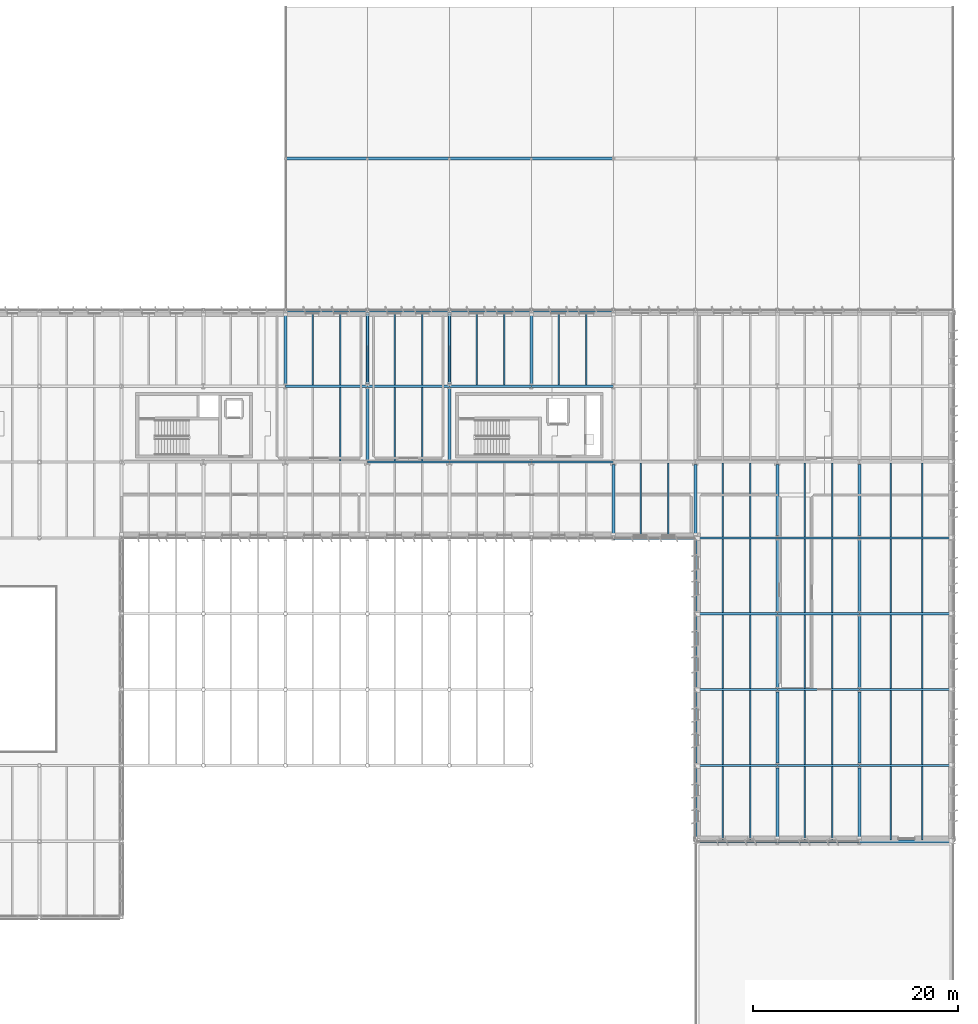
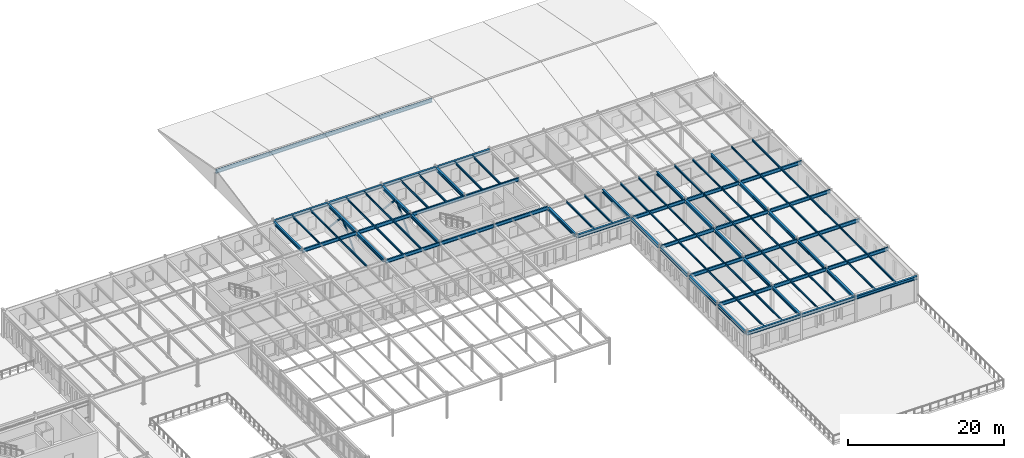
# One storey, part 26 of 63: 96 beams, 4 members.
"""IFC4 building model written with IfcOpenShell, lengths in metres."""

from ifc_helpers import new_model, si_unit, direction, frame, origin, origin_2d, place, context, subcontext, project, spatial, hollow_circle, i_section, extrude, material, material_profile, profile_set, type_object, element, save


model = new_model("IFC4")

# Units and contexts
model_context = context("Model", 3, precision=1e-05, world=origin(), true_north=direction((0.0, 1.0)))
body_context = subcontext(model_context, "Body", "Model", "MODEL_VIEW")
ifc_project = project(units=[si_unit("LENGTHUNIT", "METRE"), si_unit("AREAUNIT", "SQUARE_METRE"), si_unit("VOLUMEUNIT", "CUBIC_METRE"), si_unit("PLANEANGLEUNIT", "RADIAN"), si_unit("MASSUNIT", "GRAM", prefix="KILO")], contexts=[model_context])

# Site, building, storey
site_placement = place(None, origin())
site = spatial("IfcSite", under=ifc_project, at=site_placement, CompositionType="ELEMENT")
building_placement = place(site_placement, origin())
building = spatial("IfcBuilding", under=site, at=building_placement, Name="Valkorina Park Police Headquarters", CompositionType="ELEMENT")
storey_placement = place(building_placement, frame((0.0, 0.0, 9.89990234375)))
storey = spatial("IfcBuildingStorey", under=building, at=storey_placement, Name="L03", CompositionType="ELEMENT", Elevation=9.89990234375)

# Beams
ifc_material = material(Name="Steel S355", Category="steel")
ifc_material_profile_1 = material_profile(ifc_material, i_section(OverallWidth=0.300048828125, OverallDepth=0.489990234375, WebThickness=0.011962890625, FlangeThickness=0.02294921875, FilletRadius=0.027099609375, at=origin_2d()), Name="HEA 500")
ifc_profile_set_1 = profile_set([ifc_material_profile_1], Name="Steel S355")
beam_type_1 = type_object("IfcBeamType", Name="BM-S355-HEA500-BM", PredefinedType="BEAM", material=ifc_profile_set_1)
for number, where, z_axis, x_axis, name in (
    (1, (96.800048828125, 74.22509765625, 3.710205078125), (0.0, 1.0, 0.0), (-1.0, 0.0, 0.0), "L03 Framing Beam 2089"),
    (2, (104.800048828125, 66.824951171875, 3.710205078125), (0.0, 1.0, 0.0), (-1.0, 0.0, 0.0), "L03 Framing Beam 2104"),
    (3, (104.800048828125, 74.22509765625, 3.710205078125), (0.0, 1.0, 0.0), (-1.0, 0.0, 0.0), "L03 Framing Beam 2107"),
    (4, (112.800048828125, 66.824951171875, 3.710205078125), (0.0, 1.0, 0.0), (-1.0, 0.0, 0.0), "L03 Framing Beam 2122"),
    (5, (112.800048828125, 74.22509765625, 3.710205078125), (0.0, 1.0, 0.0), (-1.0, 0.0, 0.0), "L03 Framing Beam 2123"),
    (6, (120.800048828125, 74.22509765625, 3.710205078125), (0.0, 1.0, 0.0), (-1.0, 0.0, 0.0), "L03 Framing Beam 2132"),
    (7, (128.800048828125, 59.425048828125, 3.710205078125), (0.0, 1.0, 0.0), (-1.0, 0.0, 0.0), "L03 Framing Beam 2135"),
    (8, (136.800048828125, 59.425048828125, 3.710205078125), (0.0, 1.0, 0.0), (-1.0, 0.0, 0.0), "L03 Framing Beam 2156"),
    (9, (144.800048828125, 29.824951171875, 3.675048828125), (0.0, 1.0, 0.0), (-1.0, 0.0, 0.0), "L03 Framing Beam 2165"),
    (10, (144.800048828125, 37.22509765625, 3.675048828125), (0.0, 1.0, 0.0), (-1.0, 0.0, 0.0), "L03 Framing Beam 2168"),
    (11, (144.800048828125, 44.625, 3.675048828125), (0.0, 1.0, 0.0), (-1.0, 0.0, 0.0), "L03 Framing Beam 2171"),
):
    element("IfcBeam", number, at=place(storey_placement, frame(where, z_axis=z_axis, x_axis=x_axis)), inside=storey, type_object=beam_type_1, Name=name, PredefinedType="BEAM", context=body_context, shape_type="SweptSolid", body=[
        extrude(i_section(OverallWidth=0.300048828125, OverallDepth=0.489990234375, WebThickness=0.011962890625, FlangeThickness=0.02294921875, FilletRadius=0.027099609375, at=origin_2d()), origin(), (0.0, 0.0, 1.0), 6.949951171875),
    ])
beam_1_placement = place(storey_placement, frame((144.800048828125, 52.02490234375, 3.710205078125), z_axis=(0.0, 1.0, 0.0), x_axis=(-1.0, 0.0, 0.0)))
element("IfcBeam", 12, at=beam_1_placement, inside=storey, type_object=beam_type_1, Name="L03 Framing Beam 2174", PredefinedType="BEAM", context=body_context, shape_type="SweptSolid", body=[
    extrude(i_section(OverallWidth=0.300048828125, OverallDepth=0.489990234375, WebThickness=0.011962890625, FlangeThickness=0.02294921875, FilletRadius=0.027099609375, at=origin_2d()), origin(), (0.0, 0.0, 1.0), 6.9501953125),
])
for number, where, z_axis, x_axis, name in (
    (13, (144.800048828125, 59.425048828125, 3.710205078125), (0.0, 1.0, 0.0), (-1.0, 0.0, 0.0), "L03 Framing Beam 2177"),
    (14, (152.800048828125, 29.824951171875, 3.675048828125), (0.0, 1.0, 0.0), (-1.0, 0.0, 0.0), "L03 Framing Beam 2186"),
    (15, (152.800048828125, 37.22509765625, 3.675048828125), (0.0, 1.0, 0.0), (-1.0, 0.0, 0.0), "L03 Framing Beam 2190"),
    (16, (152.800048828125, 44.625, 3.675048828125), (0.0, 1.0, 0.0), (-1.0, 0.0, 0.0), "L03 Framing Beam 2194"),
):
    element("IfcBeam", number, at=place(storey_placement, frame(where, z_axis=z_axis, x_axis=x_axis)), inside=storey, type_object=beam_type_1, Name=name, PredefinedType="BEAM", context=body_context, shape_type="SweptSolid", body=[
        extrude(i_section(OverallWidth=0.300048828125, OverallDepth=0.489990234375, WebThickness=0.011962890625, FlangeThickness=0.02294921875, FilletRadius=0.027099609375, at=origin_2d()), origin(), (0.0, 0.0, 1.0), 6.949951171875),
    ])
beam_2_placement = place(storey_placement, frame((152.800048828125, 52.02490234375, 3.710205078125), z_axis=(0.0, 1.0, 0.0), x_axis=(-1.0, 0.0, 0.0)))
element("IfcBeam", 17, at=beam_2_placement, inside=storey, type_object=beam_type_1, Name="L03 Framing Beam 2198", PredefinedType="BEAM", context=body_context, shape_type="SweptSolid", body=[
    extrude(i_section(OverallWidth=0.300048828125, OverallDepth=0.489990234375, WebThickness=0.011962890625, FlangeThickness=0.02294921875, FilletRadius=0.027099609375, at=origin_2d()), origin(), (0.0, 0.0, 1.0), 6.9501953125),
])
beam_3_placement = place(storey_placement, frame((152.800048828125, 59.425048828125, 3.710205078125), z_axis=(0.0, 1.0, 0.0), x_axis=(-1.0, 0.0, 0.0)))
element("IfcBeam", 18, at=beam_3_placement, inside=storey, type_object=beam_type_1, Name="L03 Framing Beam 2202", PredefinedType="BEAM", context=body_context, shape_type="SweptSolid", body=[
    extrude(i_section(OverallWidth=0.300048828125, OverallDepth=0.489990234375, WebThickness=0.011962890625, FlangeThickness=0.02294921875, FilletRadius=0.027099609375, at=origin_2d()), origin(), (0.0, 0.0, 1.0), 6.949951171875),
])
ifc_material_profile_2 = material_profile(ifc_material, i_section(OverallWidth=0.300048828125, OverallDepth=0.489990234375, WebThickness=0.011962890625, FlangeThickness=0.02294921875, FilletRadius=0.027099609375, at=origin_2d()), Name="HEA 500")
ifc_profile_set_2 = profile_set([ifc_material_profile_2], Name="Steel S355")
beam_type_2 = type_object("IfcBeamType", Name="BM-S355-HEA500-SPN", PredefinedType="SPANDREL", material=ifc_profile_set_2)
for number, where, z_axis, x_axis, name in (
    (19, (96.800048828125, 96.199951171875, 2.565185546875), (1.0, 0.0, 0.0), (0.0, 1.0, 0.0), "V3 Gymnasium Roof Ridge Beam 96"),
    (20, (104.800048828125, 96.199951171875, 2.565185546875), (1.0, 0.0, 0.0), (0.0, 1.0, 0.0), "V3 Gymnasium Roof Ridge Beam 104"),
    (21, (112.800048828125, 96.199951171875, 2.565185546875), (1.0, 0.0, 0.0), (0.0, 1.0, 0.0), "V3 Gymnasium Roof Ridge Beam 112"),
    (22, (120.800048828125, 96.199951171875, 2.565185546875), (1.0, 0.0, 0.0), (0.0, 1.0, 0.0), "V3 Gymnasium Roof Ridge Beam 120"),
):
    element("IfcBeam", number, at=place(storey_placement, frame(where, z_axis=z_axis, x_axis=x_axis)), inside=storey, type_object=beam_type_2, Name=name, PredefinedType="SPANDREL", context=body_context, shape_type="SweptSolid", body=[
        extrude(i_section(OverallWidth=0.300048828125, OverallDepth=0.489990234375, WebThickness=0.011962890625, FlangeThickness=0.02294921875, FilletRadius=0.027099609375, at=origin_2d()), origin(), (0.0, 0.0, 1.0), 8.0),
    ])
for number, where, z_axis, x_axis, name in (
    (23, (136.806884765625, 29.60009765625, 3.675048828125), (1.0, 0.0, 0.0), (0.0, 1.0, 0.0), "L03 Framing Beam 1849"),
    (24, (144.806884765625, 29.60009765625, 3.675048828125), (1.0, 0.0, 0.0), (0.0, 1.0, 0.0), "L03 Framing Beam 1850"),
):
    element("IfcBeam", number, at=place(storey_placement, frame(where, z_axis=z_axis, x_axis=x_axis)), inside=storey, type_object=beam_type_2, Name=name, PredefinedType="SPANDREL", context=body_context, shape_type="SweptSolid", body=[
        extrude(i_section(OverallWidth=0.300048828125, OverallDepth=0.489990234375, WebThickness=0.011962890625, FlangeThickness=0.02294921875, FilletRadius=0.027099609375, at=origin_2d()), origin(), (0.0, 0.0, 1.0), 7.986083984375),
    ])
beam_4_placement = place(storey_placement, frame((152.806884765625, 29.60009765625, 3.675048828125), z_axis=(1.0, 0.0, 0.0), x_axis=(0.0, 1.0, 0.0)))
element("IfcBeam", 25, at=beam_4_placement, inside=storey, type_object=beam_type_2, Name="L03 Framing Beam 1851", PredefinedType="SPANDREL", context=body_context, shape_type="SweptSolid", body=[
    extrude(i_section(OverallWidth=0.300048828125, OverallDepth=0.489990234375, WebThickness=0.011962890625, FlangeThickness=0.02294921875, FilletRadius=0.027099609375, at=origin_2d()), origin(), (0.0, 0.0, 1.0), 9.18603515625),
])
for number, where, z_axis, x_axis, name in (
    (26, (128.806884765625, 59.199951171875, 3.710205078125), (1.0, 0.0, 0.0), (0.0, 1.0, 0.0), "L03 Framing Beam 1913"),
    (27, (96.806884765625, 81.39990234375, 3.710205078125), (1.0, 0.0, 0.0), (0.0, 1.0, 0.0), "L03 Framing Beam 1948"),
    (28, (104.806884765625, 81.39990234375, 3.710205078125), (1.0, 0.0, 0.0), (0.0, 1.0, 0.0), "L03 Framing Beam 1949"),
    (29, (112.806884765625, 81.39990234375, 3.710205078125), (1.0, 0.0, 0.0), (0.0, 1.0, 0.0), "L03 Framing Beam 1950"),
    (30, (120.806884765625, 81.39990234375, 3.710205078125), (1.0, 0.0, 0.0), (0.0, 1.0, 0.0), "L03 Framing Beam 1951"),
):
    element("IfcBeam", number, at=place(storey_placement, frame(where, z_axis=z_axis, x_axis=x_axis)), inside=storey, type_object=beam_type_2, Name=name, PredefinedType="SPANDREL", context=body_context, shape_type="SweptSolid", body=[
        extrude(i_section(OverallWidth=0.300048828125, OverallDepth=0.489990234375, WebThickness=0.011962890625, FlangeThickness=0.02294921875, FilletRadius=0.027099609375, at=origin_2d()), origin(), (0.0, 0.0, 1.0), 7.986083984375),
    ])
for number, where, z_axis, x_axis, name in (
    (31, (136.800048828125, 29.824951171875, 3.675048828125), (0.0, 1.0, 0.0), (-1.0, 0.0, 0.0), "L03 Framing Beam 2144"),
    (32, (136.800048828125, 37.22509765625, 3.675048828125), (0.0, 1.0, 0.0), (-1.0, 0.0, 0.0), "L03 Framing Beam 2147"),
    (33, (136.800048828125, 44.625, 3.675048828125), (0.0, 1.0, 0.0), (-1.0, 0.0, 0.0), "L03 Framing Beam 2150"),
):
    element("IfcBeam", number, at=place(storey_placement, frame(where, z_axis=z_axis, x_axis=x_axis)), inside=storey, type_object=beam_type_2, Name=name, PredefinedType="SPANDREL", context=body_context, shape_type="SweptSolid", body=[
        extrude(i_section(OverallWidth=0.300048828125, OverallDepth=0.489990234375, WebThickness=0.011962890625, FlangeThickness=0.02294921875, FilletRadius=0.027099609375, at=origin_2d()), origin(), (0.0, 0.0, 1.0), 6.949951171875),
    ])
beam_5_placement = place(storey_placement, frame((136.800048828125, 52.02490234375, 3.710205078125), z_axis=(0.0, 1.0, 0.0), x_axis=(-1.0, 0.0, 0.0)))
element("IfcBeam", 34, at=beam_5_placement, inside=storey, type_object=beam_type_2, Name="L03 Framing Beam 2153", PredefinedType="SPANDREL", context=body_context, shape_type="SweptSolid", body=[
    extrude(i_section(OverallWidth=0.300048828125, OverallDepth=0.489990234375, WebThickness=0.011962890625, FlangeThickness=0.02294921875, FilletRadius=0.027099609375, at=origin_2d()), origin(), (0.0, 0.0, 1.0), 6.9501953125),
])
ifc_material_profile_3 = material_profile(ifc_material, i_section(OverallWidth=0.14990234375, OverallDepth=0.300048828125, WebThickness=0.007080078125, FlangeThickness=0.0107421875, FilletRadius=0.014892578125, at=origin_2d()), Name="IPE 300")
ifc_profile_set_3 = profile_set([ifc_material_profile_3], Name="Steel S355")
beam_type_3 = type_object("IfcBeamType", Name="BM-S355-IPE300-JST", PredefinedType="JOIST", material=ifc_profile_set_3)
beam_6_placement = place(storey_placement, frame((102.13330078125, 66.705078125, 3.80517578125), z_axis=(0.0, 1.0, 0.0), x_axis=(-1.0, 0.0, 0.0)))
element("IfcBeam", 35, at=beam_6_placement, inside=storey, type_object=beam_type_3, Name="L03 Framing Beam 2088", PredefinedType="JOIST", context=body_context, shape_type="SweptSolid", body=[
    extrude(i_section(OverallWidth=0.14990234375, OverallDepth=0.300048828125, WebThickness=0.007080078125, FlangeThickness=0.0107421875, FilletRadius=0.014892578125, at=origin_2d()), origin(), (0.0, 0.0, 1.0), 7.18994140625),
])
for number, where, z_axis, x_axis, name in (
    (36, (99.466796875, 74.10498046875, 3.80517578125), (0.0, 1.0, 0.0), (-1.0, 0.0, 0.0), "L03 Framing Beam 2090"),
    (37, (102.13330078125, 74.10498046875, 3.80517578125), (0.0, 1.0, 0.0), (-1.0, 0.0, 0.0), "L03 Framing Beam 2091"),
):
    element("IfcBeam", number, at=place(storey_placement, frame(where, z_axis=z_axis, x_axis=x_axis)), inside=storey, type_object=beam_type_3, Name=name, PredefinedType="JOIST", context=body_context, shape_type="SweptSolid", body=[
        extrude(i_section(OverallWidth=0.14990234375, OverallDepth=0.300048828125, WebThickness=0.007080078125, FlangeThickness=0.0107421875, FilletRadius=0.014892578125, at=origin_2d()), origin(), (0.0, 0.0, 1.0), 7.14501953125),
    ])
for number, where, z_axis, x_axis, name in (
    (38, (107.466796875, 66.705078125, 3.80517578125), (0.0, 1.0, 0.0), (-1.0, 0.0, 0.0), "L03 Framing Beam 2105"),
    (39, (110.13330078125, 66.705078125, 3.80517578125), (0.0, 1.0, 0.0), (-1.0, 0.0, 0.0), "L03 Framing Beam 2106"),
):
    element("IfcBeam", number, at=place(storey_placement, frame(where, z_axis=z_axis, x_axis=x_axis)), inside=storey, type_object=beam_type_3, Name=name, PredefinedType="JOIST", context=body_context, shape_type="SweptSolid", body=[
        extrude(i_section(OverallWidth=0.14990234375, OverallDepth=0.300048828125, WebThickness=0.007080078125, FlangeThickness=0.0107421875, FilletRadius=0.014892578125, at=origin_2d()), origin(), (0.0, 0.0, 1.0), 7.18994140625),
    ])
for number, where, z_axis, x_axis, name in (
    (40, (107.466796875, 74.10498046875, 3.80517578125), (0.0, 1.0, 0.0), (-1.0, 0.0, 0.0), "L03 Framing Beam 2108"),
    (41, (110.13330078125, 74.10498046875, 3.80517578125), (0.0, 1.0, 0.0), (-1.0, 0.0, 0.0), "L03 Framing Beam 2109"),
    (42, (115.466796875, 74.10498046875, 3.80517578125), (0.0, 1.0, 0.0), (-1.0, 0.0, 0.0), "L03 Framing Beam 2124"),
    (43, (118.13330078125, 74.10498046875, 3.80517578125), (0.0, 1.0, 0.0), (-1.0, 0.0, 0.0), "L03 Framing Beam 2125"),
    (44, (123.466796875, 74.10498046875, 3.80517578125), (0.0, 1.0, 0.0), (-1.0, 0.0, 0.0), "L03 Framing Beam 2133"),
    (45, (126.13330078125, 74.10498046875, 3.80517578125), (0.0, 1.0, 0.0), (-1.0, 0.0, 0.0), "L03 Framing Beam 2134"),
    (46, (131.466796875, 59.35009765625, 3.80517578125), (0.0, 1.0, 0.0), (-1.0, 0.0, 0.0), "L03 Framing Beam 2136"),
    (47, (134.13330078125, 59.35009765625, 3.80517578125), (0.0, 1.0, 0.0), (-1.0, 0.0, 0.0), "L03 Framing Beam 2137"),
    (48, (139.466796875, 29.75, 3.77001953125), (0.0, 1.0, 0.0), (-1.0, 0.0, 0.0), "L03 Framing Beam 2145"),
    (49, (142.13330078125, 29.75, 3.77001953125), (0.0, 1.0, 0.0), (-1.0, 0.0, 0.0), "L03 Framing Beam 2146"),
):
    element("IfcBeam", number, at=place(storey_placement, frame(where, z_axis=z_axis, x_axis=x_axis)), inside=storey, type_object=beam_type_3, Name=name, PredefinedType="JOIST", context=body_context, shape_type="SweptSolid", body=[
        extrude(i_section(OverallWidth=0.14990234375, OverallDepth=0.300048828125, WebThickness=0.007080078125, FlangeThickness=0.0107421875, FilletRadius=0.014892578125, at=origin_2d()), origin(), (0.0, 0.0, 1.0), 7.14501953125),
    ])
for number, where, z_axis, x_axis, name in (
    (50, (139.466796875, 37.10498046875, 3.77001953125), (0.0, 1.0, 0.0), (-1.0, 0.0, 0.0), "L03 Framing Beam 2148"),
    (51, (142.13330078125, 37.10498046875, 3.77001953125), (0.0, 1.0, 0.0), (-1.0, 0.0, 0.0), "L03 Framing Beam 2149"),
):
    element("IfcBeam", number, at=place(storey_placement, frame(where, z_axis=z_axis, x_axis=x_axis)), inside=storey, type_object=beam_type_3, Name=name, PredefinedType="JOIST", context=body_context, shape_type="SweptSolid", body=[
        extrude(i_section(OverallWidth=0.14990234375, OverallDepth=0.300048828125, WebThickness=0.007080078125, FlangeThickness=0.0107421875, FilletRadius=0.014892578125, at=origin_2d()), origin(), (0.0, 0.0, 1.0), 7.18994140625),
    ])
for number, where, z_axis, x_axis, name in (
    (52, (139.466796875, 44.5048828125, 3.77001953125), (0.0, 1.0, 0.0), (-1.0, 0.0, 0.0), "L03 Framing Beam 2151"),
    (53, (142.13330078125, 44.5048828125, 3.77001953125), (0.0, 1.0, 0.0), (-1.0, 0.0, 0.0), "L03 Framing Beam 2152"),
):
    element("IfcBeam", number, at=place(storey_placement, frame(where, z_axis=z_axis, x_axis=x_axis)), inside=storey, type_object=beam_type_3, Name=name, PredefinedType="JOIST", context=body_context, shape_type="SweptSolid", body=[
        extrude(i_section(OverallWidth=0.14990234375, OverallDepth=0.300048828125, WebThickness=0.007080078125, FlangeThickness=0.0107421875, FilletRadius=0.014892578125, at=origin_2d()), origin(), (0.0, 0.0, 1.0), 7.190185546875),
    ])
for number, where, z_axis, x_axis, name in (
    (54, (139.466796875, 51.905029296875, 3.80517578125), (0.0, 1.0, 0.0), (-1.0, 0.0, 0.0), "L03 Framing Beam 2154"),
    (55, (142.13330078125, 51.905029296875, 3.80517578125), (0.0, 1.0, 0.0), (-1.0, 0.0, 0.0), "L03 Framing Beam 2155"),
):
    element("IfcBeam", number, at=place(storey_placement, frame(where, z_axis=z_axis, x_axis=x_axis)), inside=storey, type_object=beam_type_3, Name=name, PredefinedType="JOIST", context=body_context, shape_type="SweptSolid", body=[
        extrude(i_section(OverallWidth=0.14990234375, OverallDepth=0.300048828125, WebThickness=0.007080078125, FlangeThickness=0.0107421875, FilletRadius=0.014892578125, at=origin_2d()), origin(), (0.0, 0.0, 1.0), 7.18994140625),
    ])
for number, where, z_axis, x_axis, name in (
    (56, (139.466796875, 59.304931640625, 3.80517578125), (0.0, 1.0, 0.0), (-1.0, 0.0, 0.0), "L03 Framing Beam 2157"),
    (57, (142.13330078125, 59.304931640625, 3.80517578125), (0.0, 1.0, 0.0), (-1.0, 0.0, 0.0), "L03 Framing Beam 2158"),
):
    element("IfcBeam", number, at=place(storey_placement, frame(where, z_axis=z_axis, x_axis=x_axis)), inside=storey, type_object=beam_type_3, Name=name, PredefinedType="JOIST", context=body_context, shape_type="SweptSolid", body=[
        extrude(i_section(OverallWidth=0.14990234375, OverallDepth=0.300048828125, WebThickness=0.007080078125, FlangeThickness=0.0107421875, FilletRadius=0.014892578125, at=origin_2d()), origin(), (0.0, 0.0, 1.0), 7.190185546875),
    ])
for number, where, z_axis, x_axis, name in (
    (58, (147.466796875, 29.75, 3.77001953125), (0.0, 1.0, 0.0), (-1.0, 0.0, 0.0), "L03 Framing Beam 2166"),
    (59, (150.13330078125, 29.75, 3.77001953125), (0.0, 1.0, 0.0), (-1.0, 0.0, 0.0), "L03 Framing Beam 2167"),
):
    element("IfcBeam", number, at=place(storey_placement, frame(where, z_axis=z_axis, x_axis=x_axis)), inside=storey, type_object=beam_type_3, Name=name, PredefinedType="JOIST", context=body_context, shape_type="SweptSolid", body=[
        extrude(i_section(OverallWidth=0.14990234375, OverallDepth=0.300048828125, WebThickness=0.007080078125, FlangeThickness=0.0107421875, FilletRadius=0.014892578125, at=origin_2d()), origin(), (0.0, 0.0, 1.0), 7.14501953125),
    ])
for number, where, z_axis, x_axis, name in (
    (60, (147.466796875, 37.10498046875, 3.77001953125), (0.0, 1.0, 0.0), (-1.0, 0.0, 0.0), "L03 Framing Beam 2169"),
    (61, (150.13330078125, 37.10498046875, 3.77001953125), (0.0, 1.0, 0.0), (-1.0, 0.0, 0.0), "L03 Framing Beam 2170"),
):
    element("IfcBeam", number, at=place(storey_placement, frame(where, z_axis=z_axis, x_axis=x_axis)), inside=storey, type_object=beam_type_3, Name=name, PredefinedType="JOIST", context=body_context, shape_type="SweptSolid", body=[
        extrude(i_section(OverallWidth=0.14990234375, OverallDepth=0.300048828125, WebThickness=0.007080078125, FlangeThickness=0.0107421875, FilletRadius=0.014892578125, at=origin_2d()), origin(), (0.0, 0.0, 1.0), 7.18994140625),
    ])
for number, where, z_axis, x_axis, name in (
    (62, (147.466796875, 44.5048828125, 3.77001953125), (0.0, 1.0, 0.0), (-1.0, 0.0, 0.0), "L03 Framing Beam 2172"),
    (63, (150.13330078125, 44.5048828125, 3.77001953125), (0.0, 1.0, 0.0), (-1.0, 0.0, 0.0), "L03 Framing Beam 2173"),
):
    element("IfcBeam", number, at=place(storey_placement, frame(where, z_axis=z_axis, x_axis=x_axis)), inside=storey, type_object=beam_type_3, Name=name, PredefinedType="JOIST", context=body_context, shape_type="SweptSolid", body=[
        extrude(i_section(OverallWidth=0.14990234375, OverallDepth=0.300048828125, WebThickness=0.007080078125, FlangeThickness=0.0107421875, FilletRadius=0.014892578125, at=origin_2d()), origin(), (0.0, 0.0, 1.0), 7.190185546875),
    ])
for number, where, z_axis, x_axis, name in (
    (64, (147.466796875, 51.905029296875, 3.80517578125), (0.0, 1.0, 0.0), (-1.0, 0.0, 0.0), "L03 Framing Beam 2175"),
    (65, (150.13330078125, 51.905029296875, 3.80517578125), (0.0, 1.0, 0.0), (-1.0, 0.0, 0.0), "L03 Framing Beam 2176"),
):
    element("IfcBeam", number, at=place(storey_placement, frame(where, z_axis=z_axis, x_axis=x_axis)), inside=storey, type_object=beam_type_3, Name=name, PredefinedType="JOIST", context=body_context, shape_type="SweptSolid", body=[
        extrude(i_section(OverallWidth=0.14990234375, OverallDepth=0.300048828125, WebThickness=0.007080078125, FlangeThickness=0.0107421875, FilletRadius=0.014892578125, at=origin_2d()), origin(), (0.0, 0.0, 1.0), 7.18994140625),
    ])
for number, where, z_axis, x_axis, name in (
    (66, (147.466796875, 59.304931640625, 3.80517578125), (0.0, 1.0, 0.0), (-1.0, 0.0, 0.0), "L03 Framing Beam 2178"),
    (67, (150.13330078125, 59.304931640625, 3.80517578125), (0.0, 1.0, 0.0), (-1.0, 0.0, 0.0), "L03 Framing Beam 2179"),
):
    element("IfcBeam", number, at=place(storey_placement, frame(where, z_axis=z_axis, x_axis=x_axis)), inside=storey, type_object=beam_type_3, Name=name, PredefinedType="JOIST", context=body_context, shape_type="SweptSolid", body=[
        extrude(i_section(OverallWidth=0.14990234375, OverallDepth=0.300048828125, WebThickness=0.007080078125, FlangeThickness=0.0107421875, FilletRadius=0.014892578125, at=origin_2d()), origin(), (0.0, 0.0, 1.0), 7.190185546875),
    ])
for number, where, z_axis, x_axis, name in (
    (68, (155.86669921875, 29.75, 3.77001953125), (0.0, 1.0, 0.0), (-1.0, 0.0, 0.0), "L03 Framing Beam 2188"),
    (69, (158.933349609375, 29.75, 3.77001953125), (0.0, 1.0, 0.0), (-1.0, 0.0, 0.0), "L03 Framing Beam 2189"),
):
    element("IfcBeam", number, at=place(storey_placement, frame(where, z_axis=z_axis, x_axis=x_axis)), inside=storey, type_object=beam_type_3, Name=name, PredefinedType="JOIST", context=body_context, shape_type="SweptSolid", body=[
        extrude(i_section(OverallWidth=0.14990234375, OverallDepth=0.300048828125, WebThickness=0.007080078125, FlangeThickness=0.0107421875, FilletRadius=0.014892578125, at=origin_2d()), origin(), (0.0, 0.0, 1.0), 7.14501953125),
    ])
for number, where, z_axis, x_axis, name in (
    (70, (155.86669921875, 37.10498046875, 3.77001953125), (0.0, 1.0, 0.0), (-1.0, 0.0, 0.0), "L03 Framing Beam 2192"),
    (71, (158.933349609375, 37.10498046875, 3.77001953125), (0.0, 1.0, 0.0), (-1.0, 0.0, 0.0), "L03 Framing Beam 2193"),
):
    element("IfcBeam", number, at=place(storey_placement, frame(where, z_axis=z_axis, x_axis=x_axis)), inside=storey, type_object=beam_type_3, Name=name, PredefinedType="JOIST", context=body_context, shape_type="SweptSolid", body=[
        extrude(i_section(OverallWidth=0.14990234375, OverallDepth=0.300048828125, WebThickness=0.007080078125, FlangeThickness=0.0107421875, FilletRadius=0.014892578125, at=origin_2d()), origin(), (0.0, 0.0, 1.0), 7.18994140625),
    ])
for number, where, z_axis, x_axis, name in (
    (72, (155.86669921875, 44.5048828125, 3.77001953125), (0.0, 1.0, 0.0), (-1.0, 0.0, 0.0), "L03 Framing Beam 2196"),
    (73, (158.933349609375, 44.5048828125, 3.77001953125), (0.0, 1.0, 0.0), (-1.0, 0.0, 0.0), "L03 Framing Beam 2197"),
):
    element("IfcBeam", number, at=place(storey_placement, frame(where, z_axis=z_axis, x_axis=x_axis)), inside=storey, type_object=beam_type_3, Name=name, PredefinedType="JOIST", context=body_context, shape_type="SweptSolid", body=[
        extrude(i_section(OverallWidth=0.14990234375, OverallDepth=0.300048828125, WebThickness=0.007080078125, FlangeThickness=0.0107421875, FilletRadius=0.014892578125, at=origin_2d()), origin(), (0.0, 0.0, 1.0), 7.190185546875),
    ])
for number, where, z_axis, x_axis, name in (
    (74, (155.86669921875, 51.905029296875, 3.80517578125), (0.0, 1.0, 0.0), (-1.0, 0.0, 0.0), "L03 Framing Beam 2200"),
    (75, (158.933349609375, 51.905029296875, 3.80517578125), (0.0, 1.0, 0.0), (-1.0, 0.0, 0.0), "L03 Framing Beam 2201"),
):
    element("IfcBeam", number, at=place(storey_placement, frame(where, z_axis=z_axis, x_axis=x_axis)), inside=storey, type_object=beam_type_3, Name=name, PredefinedType="JOIST", context=body_context, shape_type="SweptSolid", body=[
        extrude(i_section(OverallWidth=0.14990234375, OverallDepth=0.300048828125, WebThickness=0.007080078125, FlangeThickness=0.0107421875, FilletRadius=0.014892578125, at=origin_2d()), origin(), (0.0, 0.0, 1.0), 7.18994140625),
    ])
for number, where, z_axis, x_axis, name in (
    (76, (155.86669921875, 59.304931640625, 3.80517578125), (0.0, 1.0, 0.0), (-1.0, 0.0, 0.0), "L03 Framing Beam 2204"),
    (77, (158.933349609375, 59.304931640625, 3.80517578125), (0.0, 1.0, 0.0), (-1.0, 0.0, 0.0), "L03 Framing Beam 2205"),
):
    element("IfcBeam", number, at=place(storey_placement, frame(where, z_axis=z_axis, x_axis=x_axis)), inside=storey, type_object=beam_type_3, Name=name, PredefinedType="JOIST", context=body_context, shape_type="SweptSolid", body=[
        extrude(i_section(OverallWidth=0.14990234375, OverallDepth=0.300048828125, WebThickness=0.007080078125, FlangeThickness=0.0107421875, FilletRadius=0.014892578125, at=origin_2d()), origin(), (0.0, 0.0, 1.0), 7.190185546875),
    ])
ifc_material_profile_4 = material_profile(ifc_material, i_section(OverallWidth=0.2099609375, OverallDepth=0.550048828125, WebThickness=0.010986328125, FlangeThickness=0.01708984375, FilletRadius=0.02392578125, at=origin_2d()), Name="IPE 550")
ifc_profile_set_4 = profile_set([ifc_material_profile_4], Name="Steel S355")
beam_type_4 = type_object("IfcBeamType", Name="BM-S355-IPE550-BM", PredefinedType="BEAM", material=ifc_profile_set_4)
for number, where, z_axis, x_axis, name in (
    (78, (136.806884765625, 37.0, 3.64501953125), (1.0, 0.0, 0.0), (0.0, 1.0, 0.0), "L03 Framing Beam 1867"),
    (79, (144.806884765625, 37.0, 3.64501953125), (1.0, 0.0, 0.0), (0.0, 1.0, 0.0), "L03 Framing Beam 1868"),
):
    element("IfcBeam", number, at=place(storey_placement, frame(where, z_axis=z_axis, x_axis=x_axis)), inside=storey, type_object=beam_type_4, Name=name, PredefinedType="BEAM", context=body_context, shape_type="SweptSolid", body=[
        extrude(i_section(OverallWidth=0.2099609375, OverallDepth=0.550048828125, WebThickness=0.010986328125, FlangeThickness=0.01708984375, FilletRadius=0.02392578125, at=origin_2d()), origin(), (0.0, 0.0, 1.0), 7.986083984375),
    ])
beam_7_placement = place(storey_placement, frame((152.806884765625, 37.0, 3.64501953125), z_axis=(1.0, 0.0, 0.0), x_axis=(0.0, 1.0, 0.0)))
element("IfcBeam", 80, at=beam_7_placement, inside=storey, type_object=beam_type_4, Name="L03 Framing Beam 1869", PredefinedType="BEAM", context=body_context, shape_type="SweptSolid", body=[
    extrude(i_section(OverallWidth=0.2099609375, OverallDepth=0.550048828125, WebThickness=0.010986328125, FlangeThickness=0.01708984375, FilletRadius=0.02392578125, at=origin_2d()), origin(), (0.0, 0.0, 1.0), 9.18603515625),
])
for number, where, z_axis, x_axis, name in (
    (81, (136.806884765625, 44.39990234375, 3.64501953125), (1.0, 0.0, 0.0), (0.0, 1.0, 0.0), "L03 Framing Beam 1882"),
    (82, (144.806884765625, 44.39990234375, 3.64501953125), (1.0, 0.0, 0.0), (0.0, 1.0, 0.0), "L03 Framing Beam 1883"),
):
    element("IfcBeam", number, at=place(storey_placement, frame(where, z_axis=z_axis, x_axis=x_axis)), inside=storey, type_object=beam_type_4, Name=name, PredefinedType="BEAM", context=body_context, shape_type="SweptSolid", body=[
        extrude(i_section(OverallWidth=0.2099609375, OverallDepth=0.550048828125, WebThickness=0.010986328125, FlangeThickness=0.01708984375, FilletRadius=0.02392578125, at=origin_2d()), origin(), (0.0, 0.0, 1.0), 7.986083984375),
    ])
beam_8_placement = place(storey_placement, frame((152.806884765625, 44.39990234375, 3.64501953125), z_axis=(1.0, 0.0, 0.0), x_axis=(0.0, 1.0, 0.0)))
element("IfcBeam", 83, at=beam_8_placement, inside=storey, type_object=beam_type_4, Name="L03 Framing Beam 1884", PredefinedType="BEAM", context=body_context, shape_type="SweptSolid", body=[
    extrude(i_section(OverallWidth=0.2099609375, OverallDepth=0.550048828125, WebThickness=0.010986328125, FlangeThickness=0.01708984375, FilletRadius=0.02392578125, at=origin_2d()), origin(), (0.0, 0.0, 1.0), 9.18603515625),
])
for number, where, z_axis, x_axis, name in (
    (84, (136.806884765625, 51.800048828125, 3.68017578125), (1.0, 0.0, 0.0), (0.0, 1.0, 0.0), "L03 Framing Beam 1894"),
    (85, (144.806884765625, 51.800048828125, 3.68017578125), (1.0, 0.0, 0.0), (0.0, 1.0, 0.0), "L03 Framing Beam 1895"),
):
    element("IfcBeam", number, at=place(storey_placement, frame(where, z_axis=z_axis, x_axis=x_axis)), inside=storey, type_object=beam_type_4, Name=name, PredefinedType="BEAM", context=body_context, shape_type="SweptSolid", body=[
        extrude(i_section(OverallWidth=0.2099609375, OverallDepth=0.550048828125, WebThickness=0.010986328125, FlangeThickness=0.01708984375, FilletRadius=0.02392578125, at=origin_2d()), origin(), (0.0, 0.0, 1.0), 7.986083984375),
    ])
beam_9_placement = place(storey_placement, frame((152.806884765625, 51.800048828125, 3.68017578125), z_axis=(1.0, 0.0, 0.0), x_axis=(0.0, 1.0, 0.0)))
element("IfcBeam", 86, at=beam_9_placement, inside=storey, type_object=beam_type_4, Name="L03 Framing Beam 1896", PredefinedType="BEAM", context=body_context, shape_type="SweptSolid", body=[
    extrude(i_section(OverallWidth=0.2099609375, OverallDepth=0.550048828125, WebThickness=0.010986328125, FlangeThickness=0.01708984375, FilletRadius=0.02392578125, at=origin_2d()), origin(), (0.0, 0.0, 1.0), 9.18603515625),
])
for number, where, z_axis, x_axis, name in (
    (87, (136.806884765625, 59.199951171875, 3.68017578125), (1.0, 0.0, 0.0), (0.0, 1.0, 0.0), "L03 Framing Beam 1914"),
    (88, (144.806884765625, 59.199951171875, 3.68017578125), (1.0, 0.0, 0.0), (0.0, 1.0, 0.0), "L03 Framing Beam 1915"),
):
    element("IfcBeam", number, at=place(storey_placement, frame(where, z_axis=z_axis, x_axis=x_axis)), inside=storey, type_object=beam_type_4, Name=name, PredefinedType="BEAM", context=body_context, shape_type="SweptSolid", body=[
        extrude(i_section(OverallWidth=0.2099609375, OverallDepth=0.550048828125, WebThickness=0.010986328125, FlangeThickness=0.01708984375, FilletRadius=0.02392578125, at=origin_2d()), origin(), (0.0, 0.0, 1.0), 7.986083984375),
    ])
beam_10_placement = place(storey_placement, frame((152.806884765625, 59.199951171875, 3.68017578125), z_axis=(1.0, 0.0, 0.0), x_axis=(0.0, 1.0, 0.0)))
element("IfcBeam", 89, at=beam_10_placement, inside=storey, type_object=beam_type_4, Name="L03 Framing Beam 1916", PredefinedType="BEAM", context=body_context, shape_type="SweptSolid", body=[
    extrude(i_section(OverallWidth=0.2099609375, OverallDepth=0.550048828125, WebThickness=0.010986328125, FlangeThickness=0.01708984375, FilletRadius=0.02392578125, at=origin_2d()), origin(), (0.0, 0.0, 1.0), 9.18603515625),
])
for number, where, z_axis, x_axis, name in (
    (90, (104.806884765625, 66.60009765625, 3.68017578125), (1.0, 0.0, 0.0), (0.0, 1.0, 0.0), "L03 Framing Beam 1923"),
    (91, (112.806884765625, 66.60009765625, 3.68017578125), (1.0, 0.0, 0.0), (0.0, 1.0, 0.0), "L03 Framing Beam 1924"),
    (92, (120.806884765625, 66.60009765625, 3.68017578125), (1.0, 0.0, 0.0), (0.0, 1.0, 0.0), "L03 Framing Beam 1925"),
    (93, (96.806884765625, 74.0, 3.68017578125), (1.0, 0.0, 0.0), (0.0, 1.0, 0.0), "L03 Framing Beam 1935"),
    (94, (104.806884765625, 74.0, 3.68017578125), (1.0, 0.0, 0.0), (0.0, 1.0, 0.0), "L03 Framing Beam 1936"),
    (95, (112.806884765625, 74.0, 3.68017578125), (1.0, 0.0, 0.0), (0.0, 1.0, 0.0), "L03 Framing Beam 1937"),
    (96, (120.806884765625, 74.0, 3.68017578125), (1.0, 0.0, 0.0), (0.0, 1.0, 0.0), "L03 Framing Beam 1938"),
):
    element("IfcBeam", number, at=place(storey_placement, frame(where, z_axis=z_axis, x_axis=x_axis)), inside=storey, type_object=beam_type_4, Name=name, PredefinedType="BEAM", context=body_context, shape_type="SweptSolid", body=[
        extrude(i_section(OverallWidth=0.2099609375, OverallDepth=0.550048828125, WebThickness=0.010986328125, FlangeThickness=0.01708984375, FilletRadius=0.02392578125, at=origin_2d()), origin(), (0.0, 0.0, 1.0), 7.986083984375),
    ])

# Members
ifc_material_profile_5 = material_profile(ifc_material, hollow_circle(Radius=0.136474609375, WallThickness=0.012451171875, at=origin_2d()), Name="CHS 273x12.5")
ifc_profile_set_5 = profile_set([ifc_material_profile_5], Name="Steel S355")
member_type = type_object("IfcMemberType", Name="MB-S355-CHS273-BRC", PredefinedType="BRACE", material=ifc_profile_set_5)
for number, where, z_axis, x_axis, name in (
    (97, (104.800048828125, 74.22509765625, 0.10009765625), (0.0, 0.675731308555, 0.737148016777), (-1.0, 0.0, 0.0), "L03 Concentric Chevron Brace 023"),
    (98, (104.800048828125, 81.175048828125, 0.10009765625), (0.0, -0.675731308555, 0.737148016777), (1.0, 0.0, 0.0), "L03 Concentric Chevron Brace 024"),
    (99, (112.800048828125, 74.22509765625, 0.10009765625), (0.0, 0.675731308555, 0.737148016777), (-1.0, 0.0, 0.0), "L03 Concentric Chevron Brace 033"),
    (100, (112.800048828125, 81.175048828125, 0.10009765625), (0.0, -0.675731308555, 0.737148016777), (1.0, 0.0, 0.0), "L03 Concentric Chevron Brace 034"),
):
    element("IfcMember", number, at=place(storey_placement, frame(where, z_axis=z_axis, x_axis=x_axis)), inside=storey, type_object=member_type, Name=name, PredefinedType="BRACE", context=body_context, shape_type="SweptSolid", body=[
        extrude(hollow_circle(Radius=0.136474609375, WallThickness=0.012451171875, at=origin_2d()), origin(), (0.0, 0.0, 1.0), 4.96484375),
    ])

save(model, "model.ifc")
